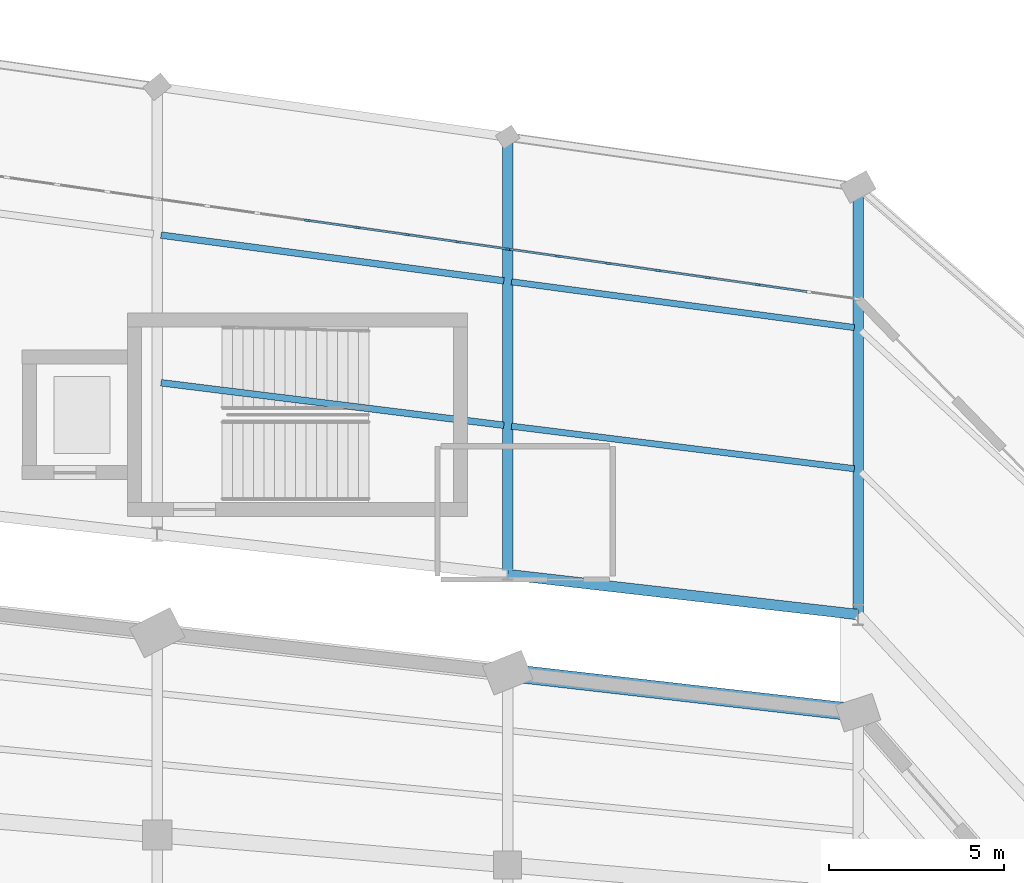
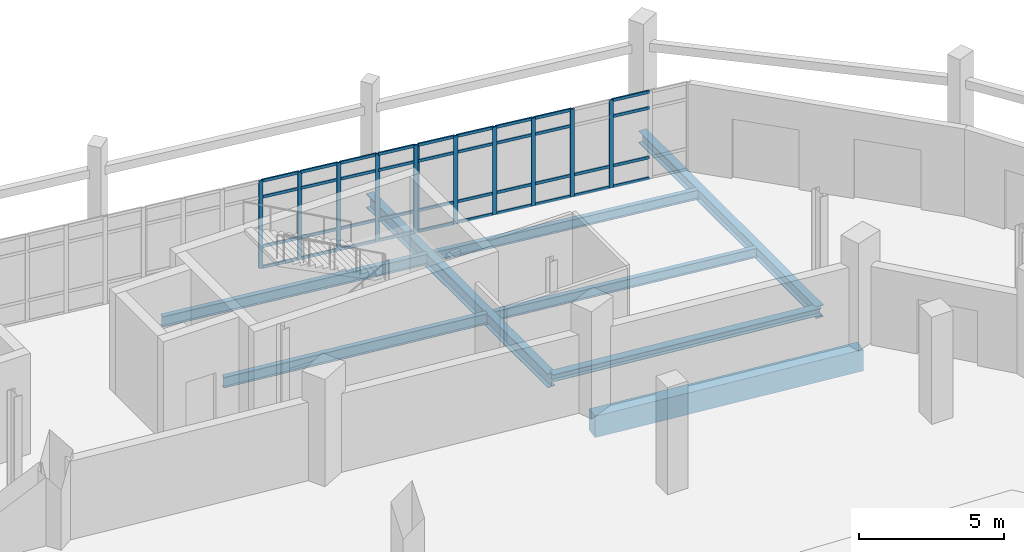
# One storey, part 75 of 122: 49 members, 8 beams, 2 elements without a shape of their own.
"""IFC4 building model written with IfcOpenShell, lengths in metres."""

from ifc_helpers import new_model, si_unit, direction, frame, origin, origin_2d, place, context, subcontext, project, spatial, rectangle, i_section, extrude, material, layer, layer_set, material_profile, profile_set, type_object, element, aggregate, save


model = new_model("IFC4")

# Units and contexts
model_context = context("Model", 3, precision=1e-05, world=origin(), true_north=direction((0.0, 1.0)))
body_context = subcontext(model_context, "Body", "Model", "MODEL_VIEW")
ifc_project = project(units=[si_unit("LENGTHUNIT", "METRE"), si_unit("AREAUNIT", "SQUARE_METRE"), si_unit("VOLUMEUNIT", "CUBIC_METRE"), si_unit("PLANEANGLEUNIT", "RADIAN"), si_unit("MASSUNIT", "GRAM", prefix="KILO")], contexts=[model_context])

# Site, building, storey
site_placement = place(None, origin())
site = spatial("IfcSite", under=ifc_project, at=site_placement, CompositionType="ELEMENT")
building_placement = place(site_placement, origin())
building = spatial("IfcBuilding", under=site, at=building_placement, Name="Sohan Crest Arena", CompositionType="ELEMENT")
storey_placement = place(building_placement, origin())
storey = spatial("IfcBuildingStorey", under=building, at=storey_placement, Name="L00", CompositionType="ELEMENT", Elevation=0.0)

# Curtain wall, members
ifc_material_1 = material(Name="Thermally broken anodised aluminium", Category="aluminium")
ifc_layer = layer(ifc_material_1, 0.179931640625, Name="Thermally broken anodised aluminium")
ifc_layer_set = layer_set([ifc_layer], Name="Thermally broken anodised aluminium")
curtain_wall_type = type_object("IfcCurtainWallType", Name="ARC-CW01", PredefinedType="NOTDEFINED", material=ifc_layer_set)
curtain_wall_1_placement = place(storey_placement, origin())
curtain_wall_1 = element("IfcCurtainWall", 1, at=curtain_wall_1_placement, inside=storey, type_object=curtain_wall_type, Name="Unitised curtain wall CW-014", PredefinedType="NOTDEFINED")
ifc_material_profile_1 = material_profile(ifc_material_1, rectangle(XDim=0.06005859375, YDim=0.159912109375, at=origin_2d()), Name="ALU-MULL 60x160")
ifc_profile_set_1 = profile_set([ifc_material_profile_1], Name="Thermally broken anodised aluminium")
member_type_1 = type_object("IfcMemberType", Name="ARC-CW-ML01", PredefinedType="MULLION", material=ifc_profile_set_1)
member_1_placement = place(storey_placement, frame((165.142822265625, 113.208251953125, 0.0), z_axis=(0.0, 0.0, 1.0), x_axis=(-0.141462933734, -0.989943553128, 0.0)))
member_1 = element("IfcMember", 2, at=member_1_placement, type_object=member_type_1, Name="CW-014 mullion 3", PredefinedType="MULLION", context=body_context, shape_type="SweptSolid", body=[
    extrude(rectangle(XDim=0.06005859375, YDim=0.159912109375, at=origin_2d()), origin(), (0.0, 0.0, 1.0), 3.679931640625),
])
member_2_placement = place(storey_placement, frame((163.71435546875, 113.412353515625, 0.0), z_axis=(0.0, 0.0, 1.0), x_axis=(-0.141462933734, -0.989943553128, 0.0)))
member_2 = element("IfcMember", 3, at=member_2_placement, type_object=member_type_1, Name="CW-014 mullion 4", PredefinedType="MULLION", context=body_context, shape_type="SweptSolid", body=[
    extrude(rectangle(XDim=0.06005859375, YDim=0.159912109375, at=origin_2d()), origin(), (0.0, 0.0, 1.0), 3.679931640625),
])
member_3_placement = place(storey_placement, frame((162.28564453125, 113.616455078125, 0.0), z_axis=(0.0, 0.0, 1.0), x_axis=(-0.141462933734, -0.989943553128, 0.0)))
member_3 = element("IfcMember", 4, at=member_3_placement, type_object=member_type_1, Name="CW-014 mullion 5", PredefinedType="MULLION", context=body_context, shape_type="SweptSolid", body=[
    extrude(rectangle(XDim=0.06005859375, YDim=0.159912109375, at=origin_2d()), origin(), (0.0, 0.0, 1.0), 3.679931640625),
])
member_4_placement = place(storey_placement, frame((160.857177734375, 113.82080078125, 0.0), z_axis=(0.0, 0.0, 1.0), x_axis=(-0.141462933734, -0.989943553128, 0.0)))
member_4 = element("IfcMember", 5, at=member_4_placement, type_object=member_type_1, Name="CW-014 mullion 6", PredefinedType="MULLION", context=body_context, shape_type="SweptSolid", body=[
    extrude(rectangle(XDim=0.06005859375, YDim=0.159912109375, at=origin_2d()), origin(), (0.0, 0.0, 1.0), 3.679931640625),
])
member_5_placement = place(storey_placement, frame((159.428466796875, 114.02490234375, 0.0), z_axis=(0.0, 0.0, 1.0), x_axis=(-0.141462933734, -0.989943553128, 0.0)))
member_5 = element("IfcMember", 6, at=member_5_placement, type_object=member_type_1, Name="CW-014 mullion 7", PredefinedType="MULLION", context=body_context, shape_type="SweptSolid", body=[
    extrude(rectangle(XDim=0.06005859375, YDim=0.159912109375, at=origin_2d()), origin(), (0.0, 0.0, 1.0), 3.679931640625),
])
member_6_placement = place(storey_placement, frame((158.02978515625, 114.224853515625, 0.0), z_axis=(0.0, 0.0, 1.0), x_axis=(-0.141462933734, -0.989943553128, 0.0)))
member_6 = element("IfcMember", 7, at=member_6_placement, type_object=member_type_1, Name="CW-014 mullion 8", PredefinedType="MULLION", context=body_context, shape_type="SweptSolid", body=[
    extrude(rectangle(XDim=0.06005859375, YDim=0.159912109375, at=origin_2d()), origin(), (0.0, 0.0, 1.0), 3.679931640625),
])

curtain_wall_2_placement = place(storey_placement, origin())
curtain_wall_2 = element("IfcCurtainWall", 8, at=curtain_wall_2_placement, inside=storey, type_object=curtain_wall_type, Name="Unitised curtain wall CW-015", PredefinedType="NOTDEFINED")
member_7_placement = place(storey_placement, frame((157.97021484375, 114.233154296875, 0.0), z_axis=(0.0, 0.0, 1.0), x_axis=(-0.141365918403, -0.989957411768, 0.0)))
member_7 = element("IfcMember", 9, at=member_7_placement, type_object=member_type_1, Name="CW-015 mullion 1", PredefinedType="MULLION", context=body_context, shape_type="SweptSolid", body=[
    extrude(rectangle(XDim=0.06005859375, YDim=0.159912109375, at=origin_2d()), origin(), (0.0, 0.0, 1.0), 3.679931640625),
])
member_8_placement = place(storey_placement, frame((156.571533203125, 114.43310546875, 0.0), z_axis=(0.0, 0.0, 1.0), x_axis=(-0.141365918403, -0.989957411768, 0.0)))
member_8 = element("IfcMember", 10, at=member_8_placement, type_object=member_type_1, Name="CW-015 mullion 2", PredefinedType="MULLION", context=body_context, shape_type="SweptSolid", body=[
    extrude(rectangle(XDim=0.06005859375, YDim=0.159912109375, at=origin_2d()), origin(), (0.0, 0.0, 1.0), 3.679931640625),
])
member_9_placement = place(storey_placement, frame((155.142822265625, 114.636962890625, 0.0), z_axis=(0.0, 0.0, 1.0), x_axis=(-0.141365918403, -0.989957411768, 0.0)))
member_9 = element("IfcMember", 11, at=member_9_placement, type_object=member_type_1, Name="CW-015 mullion 3", PredefinedType="MULLION", context=body_context, shape_type="SweptSolid", body=[
    extrude(rectangle(XDim=0.06005859375, YDim=0.159912109375, at=origin_2d()), origin(), (0.0, 0.0, 1.0), 3.679931640625),
])
member_10_placement = place(storey_placement, frame((153.71435546875, 114.841064453125, 0.0), z_axis=(0.0, 0.0, 1.0), x_axis=(-0.141365918403, -0.989957411768, 0.0)))
member_10 = element("IfcMember", 12, at=member_10_placement, type_object=member_type_1, Name="CW-015 mullion 4", PredefinedType="MULLION", context=body_context, shape_type="SweptSolid", body=[
    extrude(rectangle(XDim=0.06005859375, YDim=0.159912109375, at=origin_2d()), origin(), (0.0, 0.0, 1.0), 3.679931640625),
])
member_11_placement = place(storey_placement, frame((152.28564453125, 115.044921875, 0.0), z_axis=(0.0, 0.0, 1.0), x_axis=(-0.141365918403, -0.989957411768, 0.0)))
member_11 = element("IfcMember", 13, at=member_11_placement, type_object=member_type_1, Name="CW-015 mullion 5", PredefinedType="MULLION", context=body_context, shape_type="SweptSolid", body=[
    extrude(rectangle(XDim=0.06005859375, YDim=0.159912109375, at=origin_2d()), origin(), (0.0, 0.0, 1.0), 3.679931640625),
])

# Member
ifc_material_profile_2 = material_profile(ifc_material_1, rectangle(XDim=0.06005859375, YDim=0.1201171875, at=origin_2d()), Name="ALU-TRAN 60x120")
ifc_profile_set_2 = profile_set([ifc_material_profile_2], Name="Thermally broken anodised aluminium")
member_type_2 = type_object("IfcMemberType", Name="ARC-CW-TR01", PredefinedType="USERDEFINED", material=ifc_profile_set_2)
member_12_placement = place(storey_placement, frame((166.541748046875, 113.00830078125, 0.030029296875), z_axis=(-0.989928300068, 0.141569632071, 0.0), x_axis=(-0.141569632071, -0.989928300068, 0.0)))
member_12 = element("IfcMember", 14, at=member_12_placement, type_object=member_type_2, Name="CW-014 transom 2.1", ObjectType="TRANSOM", PredefinedType="USERDEFINED", context=body_context, shape_type="SweptSolid", body=[
    extrude(rectangle(XDim=0.06005859375, YDim=0.1201171875, at=origin_2d()), origin(), (0.0, 0.0, 1.0), 1.383056640625),
])

member_13_placement = place(storey_placement, frame((166.541748046875, 113.00830078125, 0.89990234375), z_axis=(-0.989928300068, 0.141569632071, 0.0), x_axis=(-0.141569632071, -0.989928300068, 0.0)))
member_13 = element("IfcMember", 15, at=member_13_placement, type_object=member_type_2, Name="CW-014 transom 2.2", ObjectType="TRANSOM", PredefinedType="USERDEFINED", context=body_context, shape_type="SweptSolid", body=[
    extrude(rectangle(XDim=0.06005859375, YDim=0.1201171875, at=origin_2d()), origin(), (0.0, 0.0, 1.0), 1.383056640625),
])

member_14_placement = place(storey_placement, frame((166.541748046875, 113.00830078125, 2.97998046875), z_axis=(-0.989928300068, 0.141569632071, 0.0), x_axis=(-0.141569632071, -0.989928300068, 0.0)))
member_14 = element("IfcMember", 16, at=member_14_placement, type_object=member_type_2, Name="CW-014 transom 2.3", ObjectType="TRANSOM", PredefinedType="USERDEFINED", context=body_context, shape_type="SweptSolid", body=[
    extrude(rectangle(XDim=0.06005859375, YDim=0.1201171875, at=origin_2d()), origin(), (0.0, 0.0, 1.0), 1.383056640625),
])

member_15_placement = place(storey_placement, frame((166.541748046875, 113.00830078125, 3.64990234375), z_axis=(-0.989928300068, 0.141569632071, 0.0), x_axis=(-0.141569632071, -0.989928300068, 0.0)))
member_15 = element("IfcMember", 17, at=member_15_placement, type_object=member_type_2, Name="CW-014 transom 2.4", ObjectType="TRANSOM", PredefinedType="USERDEFINED", context=body_context, shape_type="SweptSolid", body=[
    extrude(rectangle(XDim=0.06005859375, YDim=0.1201171875, at=origin_2d()), origin(), (0.0, 0.0, 1.0), 1.383056640625),
])

member_16_placement = place(storey_placement, frame((165.113037109375, 113.212646484375, 0.030029296875), z_axis=(-0.989953023856, 0.141396642673, 0.0), x_axis=(-0.141396642673, -0.989953023856, 0.0)))
member_16 = element("IfcMember", 18, at=member_16_placement, type_object=member_type_2, Name="CW-014 transom 3.1", ObjectType="TRANSOM", PredefinedType="USERDEFINED", context=body_context, shape_type="SweptSolid", body=[
    extrude(rectangle(XDim=0.06005859375, YDim=0.1201171875, at=origin_2d()), origin(), (0.0, 0.0, 1.0), 1.383056640625),
])

member_17_placement = place(storey_placement, frame((165.113037109375, 113.212646484375, 0.89990234375), z_axis=(-0.989953023856, 0.141396642673, 0.0), x_axis=(-0.141396642673, -0.989953023856, 0.0)))
member_17 = element("IfcMember", 19, at=member_17_placement, type_object=member_type_2, Name="CW-014 transom 3.2", ObjectType="TRANSOM", PredefinedType="USERDEFINED", context=body_context, shape_type="SweptSolid", body=[
    extrude(rectangle(XDim=0.06005859375, YDim=0.1201171875, at=origin_2d()), origin(), (0.0, 0.0, 1.0), 1.383056640625),
])

member_18_placement = place(storey_placement, frame((163.6845703125, 113.416748046875, 0.030029296875), z_axis=(-0.989953023856, 0.141396642673, 0.0), x_axis=(-0.141396642673, -0.989953023856, 0.0)))
member_18 = element("IfcMember", 20, at=member_18_placement, type_object=member_type_2, Name="CW-014 transom 4.1", ObjectType="TRANSOM", PredefinedType="USERDEFINED", context=body_context, shape_type="SweptSolid", body=[
    extrude(rectangle(XDim=0.06005859375, YDim=0.1201171875, at=origin_2d()), origin(), (0.0, 0.0, 1.0), 1.383056640625),
])

member_19_placement = place(storey_placement, frame((163.6845703125, 113.416748046875, 0.89990234375), z_axis=(-0.989953023856, 0.141396642673, 0.0), x_axis=(-0.141396642673, -0.989953023856, 0.0)))
member_19 = element("IfcMember", 21, at=member_19_placement, type_object=member_type_2, Name="CW-014 transom 4.2", ObjectType="TRANSOM", PredefinedType="USERDEFINED", context=body_context, shape_type="SweptSolid", body=[
    extrude(rectangle(XDim=0.06005859375, YDim=0.1201171875, at=origin_2d()), origin(), (0.0, 0.0, 1.0), 1.383056640625),
])

member_20_placement = place(storey_placement, frame((163.6845703125, 113.416748046875, 2.97998046875), z_axis=(-0.989953023856, 0.141396642673, 0.0), x_axis=(-0.141396642673, -0.989953023856, 0.0)))
member_20 = element("IfcMember", 22, at=member_20_placement, type_object=member_type_2, Name="CW-014 transom 4.3", ObjectType="TRANSOM", PredefinedType="USERDEFINED", context=body_context, shape_type="SweptSolid", body=[
    extrude(rectangle(XDim=0.06005859375, YDim=0.1201171875, at=origin_2d()), origin(), (0.0, 0.0, 1.0), 1.383056640625),
])

member_21_placement = place(storey_placement, frame((163.6845703125, 113.416748046875, 3.64990234375), z_axis=(-0.989953023856, 0.141396642673, 0.0), x_axis=(-0.141396642673, -0.989953023856, 0.0)))
member_21 = element("IfcMember", 23, at=member_21_placement, type_object=member_type_2, Name="CW-014 transom 4.4", ObjectType="TRANSOM", PredefinedType="USERDEFINED", context=body_context, shape_type="SweptSolid", body=[
    extrude(rectangle(XDim=0.06005859375, YDim=0.1201171875, at=origin_2d()), origin(), (0.0, 0.0, 1.0), 1.383056640625),
])

member_22_placement = place(storey_placement, frame((162.256103515625, 113.620849609375, 0.030029296875), z_axis=(-0.989953023856, 0.141396642673, 0.0), x_axis=(-0.141396642673, -0.989953023856, 0.0)))
member_22 = element("IfcMember", 24, at=member_22_placement, type_object=member_type_2, Name="CW-014 transom 5.1", ObjectType="TRANSOM", PredefinedType="USERDEFINED", context=body_context, shape_type="SweptSolid", body=[
    extrude(rectangle(XDim=0.06005859375, YDim=0.1201171875, at=origin_2d()), origin(), (0.0, 0.0, 1.0), 1.383056640625),
])

member_23_placement = place(storey_placement, frame((162.256103515625, 113.620849609375, 0.89990234375), z_axis=(-0.989953023856, 0.141396642673, 0.0), x_axis=(-0.141396642673, -0.989953023856, 0.0)))
member_23 = element("IfcMember", 25, at=member_23_placement, type_object=member_type_2, Name="CW-014 transom 5.2", ObjectType="TRANSOM", PredefinedType="USERDEFINED", context=body_context, shape_type="SweptSolid", body=[
    extrude(rectangle(XDim=0.06005859375, YDim=0.1201171875, at=origin_2d()), origin(), (0.0, 0.0, 1.0), 1.383056640625),
])

member_24_placement = place(storey_placement, frame((162.256103515625, 113.620849609375, 2.97998046875), z_axis=(-0.989953023856, 0.141396642673, 0.0), x_axis=(-0.141396642673, -0.989953023856, 0.0)))
member_24 = element("IfcMember", 26, at=member_24_placement, type_object=member_type_2, Name="CW-014 transom 5.3", ObjectType="TRANSOM", PredefinedType="USERDEFINED", context=body_context, shape_type="SweptSolid", body=[
    extrude(rectangle(XDim=0.06005859375, YDim=0.1201171875, at=origin_2d()), origin(), (0.0, 0.0, 1.0), 1.383056640625),
])

member_25_placement = place(storey_placement, frame((162.256103515625, 113.620849609375, 3.64990234375), z_axis=(-0.989953023856, 0.141396642673, 0.0), x_axis=(-0.141396642673, -0.989953023856, 0.0)))
member_25 = element("IfcMember", 27, at=member_25_placement, type_object=member_type_2, Name="CW-014 transom 5.4", ObjectType="TRANSOM", PredefinedType="USERDEFINED", context=body_context, shape_type="SweptSolid", body=[
    extrude(rectangle(XDim=0.06005859375, YDim=0.1201171875, at=origin_2d()), origin(), (0.0, 0.0, 1.0), 1.383056640625),
])

member_26_placement = place(storey_placement, frame((160.827392578125, 113.824951171875, 0.030029296875), z_axis=(-0.989953023856, 0.141396642673, 0.0), x_axis=(-0.141396642673, -0.989953023856, 0.0)))
member_26 = element("IfcMember", 28, at=member_26_placement, type_object=member_type_2, Name="CW-014 transom 6.1", ObjectType="TRANSOM", PredefinedType="USERDEFINED", context=body_context, shape_type="SweptSolid", body=[
    extrude(rectangle(XDim=0.06005859375, YDim=0.1201171875, at=origin_2d()), origin(), (0.0, 0.0, 1.0), 1.383056640625),
])

member_27_placement = place(storey_placement, frame((160.827392578125, 113.824951171875, 0.89990234375), z_axis=(-0.989953023856, 0.141396642673, 0.0), x_axis=(-0.141396642673, -0.989953023856, 0.0)))
member_27 = element("IfcMember", 29, at=member_27_placement, type_object=member_type_2, Name="CW-014 transom 6.2", ObjectType="TRANSOM", PredefinedType="USERDEFINED", context=body_context, shape_type="SweptSolid", body=[
    extrude(rectangle(XDim=0.06005859375, YDim=0.1201171875, at=origin_2d()), origin(), (0.0, 0.0, 1.0), 1.383056640625),
])

member_28_placement = place(storey_placement, frame((160.827392578125, 113.824951171875, 2.97998046875), z_axis=(-0.989953023856, 0.141396642673, 0.0), x_axis=(-0.141396642673, -0.989953023856, 0.0)))
member_28 = element("IfcMember", 30, at=member_28_placement, type_object=member_type_2, Name="CW-014 transom 6.3", ObjectType="TRANSOM", PredefinedType="USERDEFINED", context=body_context, shape_type="SweptSolid", body=[
    extrude(rectangle(XDim=0.06005859375, YDim=0.1201171875, at=origin_2d()), origin(), (0.0, 0.0, 1.0), 1.383056640625),
])

member_29_placement = place(storey_placement, frame((160.827392578125, 113.824951171875, 3.64990234375), z_axis=(-0.989953023856, 0.141396642673, 0.0), x_axis=(-0.141396642673, -0.989953023856, 0.0)))
member_29 = element("IfcMember", 31, at=member_29_placement, type_object=member_type_2, Name="CW-014 transom 6.4", ObjectType="TRANSOM", PredefinedType="USERDEFINED", context=body_context, shape_type="SweptSolid", body=[
    extrude(rectangle(XDim=0.06005859375, YDim=0.1201171875, at=origin_2d()), origin(), (0.0, 0.0, 1.0), 1.383056640625),
])

member_30_placement = place(storey_placement, frame((159.39892578125, 114.029052734375, 0.030029296875), z_axis=(-0.989945885007, 0.141446614515, 0.0), x_axis=(-0.141446614515, -0.989945885007, 0.0)))
member_30 = element("IfcMember", 32, at=member_30_placement, type_object=member_type_2, Name="CW-014 transom 7.1", ObjectType="TRANSOM", PredefinedType="USERDEFINED", context=body_context, shape_type="SweptSolid", body=[
    extrude(rectangle(XDim=0.06005859375, YDim=0.1201171875, at=origin_2d()), origin(), (0.0, 0.0, 1.0), 1.353271484375),
])

member_31_placement = place(storey_placement, frame((159.39892578125, 114.029052734375, 0.89990234375), z_axis=(-0.989945885007, 0.141446614515, 0.0), x_axis=(-0.141446614515, -0.989945885007, 0.0)))
member_31 = element("IfcMember", 33, at=member_31_placement, type_object=member_type_2, Name="CW-014 transom 7.2", ObjectType="TRANSOM", PredefinedType="USERDEFINED", context=body_context, shape_type="SweptSolid", body=[
    extrude(rectangle(XDim=0.06005859375, YDim=0.1201171875, at=origin_2d()), origin(), (0.0, 0.0, 1.0), 1.353271484375),
])

member_32_placement = place(storey_placement, frame((159.39892578125, 114.029052734375, 2.97998046875), z_axis=(-0.989945885007, 0.141446614515, 0.0), x_axis=(-0.141446614515, -0.989945885007, 0.0)))
member_32 = element("IfcMember", 34, at=member_32_placement, type_object=member_type_2, Name="CW-014 transom 7.3", ObjectType="TRANSOM", PredefinedType="USERDEFINED", context=body_context, shape_type="SweptSolid", body=[
    extrude(rectangle(XDim=0.06005859375, YDim=0.1201171875, at=origin_2d()), origin(), (0.0, 0.0, 1.0), 1.353271484375),
])

member_33_placement = place(storey_placement, frame((159.39892578125, 114.029052734375, 3.64990234375), z_axis=(-0.989945885007, 0.141446614515, 0.0), x_axis=(-0.141446614515, -0.989945885007, 0.0)))
member_33 = element("IfcMember", 35, at=member_33_placement, type_object=member_type_2, Name="CW-014 transom 7.4", ObjectType="TRANSOM", PredefinedType="USERDEFINED", context=body_context, shape_type="SweptSolid", body=[
    extrude(rectangle(XDim=0.06005859375, YDim=0.1201171875, at=origin_2d()), origin(), (0.0, 0.0, 1.0), 1.353271484375),
])

aggregate(curtain_wall_1, [member_1, member_2, member_3, member_4, member_5, member_6, member_12, member_13, member_14, member_15, member_16, member_17, member_18, member_19, member_20, member_21, member_22, member_23, member_24, member_25, member_26, member_27, member_28, member_29, member_30, member_31, member_32, member_33])

member_34_placement = place(storey_placement, frame((157.940673828125, 114.237548828125, 0.030029296875), z_axis=(-0.989971132604, 0.141269800771, 0.0), x_axis=(-0.141269800771, -0.989971132604, 0.0)))
member_34 = element("IfcMember", 36, at=member_34_placement, type_object=member_type_2, Name="CW-015 transom 1.1", ObjectType="TRANSOM", PredefinedType="USERDEFINED", context=body_context, shape_type="SweptSolid", body=[
    extrude(rectangle(XDim=0.06005859375, YDim=0.1201171875, at=origin_2d()), origin(), (0.0, 0.0, 1.0), 1.353271484375),
])

member_35_placement = place(storey_placement, frame((157.940673828125, 114.237548828125, 0.89990234375), z_axis=(-0.989971132604, 0.141269800771, 0.0), x_axis=(-0.141269800771, -0.989971132604, 0.0)))
member_35 = element("IfcMember", 37, at=member_35_placement, type_object=member_type_2, Name="CW-015 transom 1.2", ObjectType="TRANSOM", PredefinedType="USERDEFINED", context=body_context, shape_type="SweptSolid", body=[
    extrude(rectangle(XDim=0.06005859375, YDim=0.1201171875, at=origin_2d()), origin(), (0.0, 0.0, 1.0), 1.353271484375),
])

member_36_placement = place(storey_placement, frame((157.940673828125, 114.237548828125, 2.97998046875), z_axis=(-0.989971132604, 0.141269800771, 0.0), x_axis=(-0.141269800771, -0.989971132604, 0.0)))
member_36 = element("IfcMember", 38, at=member_36_placement, type_object=member_type_2, Name="CW-015 transom 1.3", ObjectType="TRANSOM", PredefinedType="USERDEFINED", context=body_context, shape_type="SweptSolid", body=[
    extrude(rectangle(XDim=0.06005859375, YDim=0.1201171875, at=origin_2d()), origin(), (0.0, 0.0, 1.0), 1.353271484375),
])

member_37_placement = place(storey_placement, frame((157.940673828125, 114.237548828125, 3.64990234375), z_axis=(-0.989971132604, 0.141269800771, 0.0), x_axis=(-0.141269800771, -0.989971132604, 0.0)))
member_37 = element("IfcMember", 39, at=member_37_placement, type_object=member_type_2, Name="CW-015 transom 1.4", ObjectType="TRANSOM", PredefinedType="USERDEFINED", context=body_context, shape_type="SweptSolid", body=[
    extrude(rectangle(XDim=0.06005859375, YDim=0.1201171875, at=origin_2d()), origin(), (0.0, 0.0, 1.0), 1.353271484375),
])

member_38_placement = place(storey_placement, frame((156.541748046875, 114.437255859375, 0.030029296875), z_axis=(-0.989953023856, 0.141396642673, 0.0), x_axis=(-0.141396642673, -0.989953023856, 0.0)))
member_38 = element("IfcMember", 40, at=member_38_placement, type_object=member_type_2, Name="CW-015 transom 2.1", ObjectType="TRANSOM", PredefinedType="USERDEFINED", context=body_context, shape_type="SweptSolid", body=[
    extrude(rectangle(XDim=0.06005859375, YDim=0.1201171875, at=origin_2d()), origin(), (0.0, 0.0, 1.0), 1.383056640625),
])

member_39_placement = place(storey_placement, frame((156.541748046875, 114.437255859375, 0.89990234375), z_axis=(-0.989953023856, 0.141396642673, 0.0), x_axis=(-0.141396642673, -0.989953023856, 0.0)))
member_39 = element("IfcMember", 41, at=member_39_placement, type_object=member_type_2, Name="CW-015 transom 2.2", ObjectType="TRANSOM", PredefinedType="USERDEFINED", context=body_context, shape_type="SweptSolid", body=[
    extrude(rectangle(XDim=0.06005859375, YDim=0.1201171875, at=origin_2d()), origin(), (0.0, 0.0, 1.0), 1.383056640625),
])

member_40_placement = place(storey_placement, frame((156.541748046875, 114.437255859375, 2.97998046875), z_axis=(-0.989953023856, 0.141396642673, 0.0), x_axis=(-0.141396642673, -0.989953023856, 0.0)))
member_40 = element("IfcMember", 42, at=member_40_placement, type_object=member_type_2, Name="CW-015 transom 2.3", ObjectType="TRANSOM", PredefinedType="USERDEFINED", context=body_context, shape_type="SweptSolid", body=[
    extrude(rectangle(XDim=0.06005859375, YDim=0.1201171875, at=origin_2d()), origin(), (0.0, 0.0, 1.0), 1.383056640625),
])

member_41_placement = place(storey_placement, frame((156.541748046875, 114.437255859375, 3.64990234375), z_axis=(-0.989953023856, 0.141396642673, 0.0), x_axis=(-0.141396642673, -0.989953023856, 0.0)))
member_41 = element("IfcMember", 43, at=member_41_placement, type_object=member_type_2, Name="CW-015 transom 2.4", ObjectType="TRANSOM", PredefinedType="USERDEFINED", context=body_context, shape_type="SweptSolid", body=[
    extrude(rectangle(XDim=0.06005859375, YDim=0.1201171875, at=origin_2d()), origin(), (0.0, 0.0, 1.0), 1.383056640625),
])

member_42_placement = place(storey_placement, frame((155.113037109375, 114.641357421875, 0.030029296875), z_axis=(-0.989977718646, 0.14122364032, 0.0), x_axis=(-0.14122364032, -0.989977718646, 0.0)))
member_42 = element("IfcMember", 44, at=member_42_placement, type_object=member_type_2, Name="CW-015 transom 3.1", ObjectType="TRANSOM", PredefinedType="USERDEFINED", context=body_context, shape_type="SweptSolid", body=[
    extrude(rectangle(XDim=0.06005859375, YDim=0.1201171875, at=origin_2d()), origin(), (0.0, 0.0, 1.0), 1.383056640625),
])

member_43_placement = place(storey_placement, frame((155.113037109375, 114.641357421875, 0.89990234375), z_axis=(-0.989977718646, 0.14122364032, 0.0), x_axis=(-0.14122364032, -0.989977718646, 0.0)))
member_43 = element("IfcMember", 45, at=member_43_placement, type_object=member_type_2, Name="CW-015 transom 3.2", ObjectType="TRANSOM", PredefinedType="USERDEFINED", context=body_context, shape_type="SweptSolid", body=[
    extrude(rectangle(XDim=0.06005859375, YDim=0.1201171875, at=origin_2d()), origin(), (0.0, 0.0, 1.0), 1.383056640625),
])

member_44_placement = place(storey_placement, frame((155.113037109375, 114.641357421875, 2.97998046875), z_axis=(-0.989977718646, 0.14122364032, 0.0), x_axis=(-0.14122364032, -0.989977718646, 0.0)))
member_44 = element("IfcMember", 46, at=member_44_placement, type_object=member_type_2, Name="CW-015 transom 3.3", ObjectType="TRANSOM", PredefinedType="USERDEFINED", context=body_context, shape_type="SweptSolid", body=[
    extrude(rectangle(XDim=0.06005859375, YDim=0.1201171875, at=origin_2d()), origin(), (0.0, 0.0, 1.0), 1.383056640625),
])

member_45_placement = place(storey_placement, frame((155.113037109375, 114.641357421875, 3.64990234375), z_axis=(-0.989977718646, 0.14122364032, 0.0), x_axis=(-0.14122364032, -0.989977718646, 0.0)))
member_45 = element("IfcMember", 47, at=member_45_placement, type_object=member_type_2, Name="CW-015 transom 3.4", ObjectType="TRANSOM", PredefinedType="USERDEFINED", context=body_context, shape_type="SweptSolid", body=[
    extrude(rectangle(XDim=0.06005859375, YDim=0.1201171875, at=origin_2d()), origin(), (0.0, 0.0, 1.0), 1.383056640625),
])

member_46_placement = place(storey_placement, frame((153.6845703125, 114.84521484375, 0.030029296875), z_axis=(-0.989953023856, 0.141396642673, 0.0), x_axis=(-0.141396642673, -0.989953023856, 0.0)))
member_46 = element("IfcMember", 48, at=member_46_placement, type_object=member_type_2, Name="CW-015 transom 4.1", ObjectType="TRANSOM", PredefinedType="USERDEFINED", context=body_context, shape_type="SweptSolid", body=[
    extrude(rectangle(XDim=0.06005859375, YDim=0.1201171875, at=origin_2d()), origin(), (0.0, 0.0, 1.0), 1.383056640625),
])

member_47_placement = place(storey_placement, frame((153.6845703125, 114.84521484375, 0.89990234375), z_axis=(-0.989953023856, 0.141396642673, 0.0), x_axis=(-0.141396642673, -0.989953023856, 0.0)))
member_47 = element("IfcMember", 49, at=member_47_placement, type_object=member_type_2, Name="CW-015 transom 4.2", ObjectType="TRANSOM", PredefinedType="USERDEFINED", context=body_context, shape_type="SweptSolid", body=[
    extrude(rectangle(XDim=0.06005859375, YDim=0.1201171875, at=origin_2d()), origin(), (0.0, 0.0, 1.0), 1.383056640625),
])

member_48_placement = place(storey_placement, frame((153.6845703125, 114.84521484375, 2.97998046875), z_axis=(-0.989953023856, 0.141396642673, 0.0), x_axis=(-0.141396642673, -0.989953023856, 0.0)))
member_48 = element("IfcMember", 50, at=member_48_placement, type_object=member_type_2, Name="CW-015 transom 4.3", ObjectType="TRANSOM", PredefinedType="USERDEFINED", context=body_context, shape_type="SweptSolid", body=[
    extrude(rectangle(XDim=0.06005859375, YDim=0.1201171875, at=origin_2d()), origin(), (0.0, 0.0, 1.0), 1.383056640625),
])

member_49_placement = place(storey_placement, frame((153.6845703125, 114.84521484375, 3.64990234375), z_axis=(-0.989953023856, 0.141396642673, 0.0), x_axis=(-0.141396642673, -0.989953023856, 0.0)))
member_49 = element("IfcMember", 51, at=member_49_placement, type_object=member_type_2, Name="CW-015 transom 4.4", ObjectType="TRANSOM", PredefinedType="USERDEFINED", context=body_context, shape_type="SweptSolid", body=[
    extrude(rectangle(XDim=0.06005859375, YDim=0.1201171875, at=origin_2d()), origin(), (0.0, 0.0, 1.0), 1.383056640625),
])

aggregate(curtain_wall_2, [member_7, member_8, member_9, member_10, member_11, member_34, member_35, member_36, member_37, member_38, member_39, member_40, member_41, member_42, member_43, member_44, member_45, member_46, member_47, member_48, member_49])

# Beams
ifc_material_2 = material(Name="Steel S355", Category="steel")
ifc_material_profile_3 = material_profile(ifc_material_2, i_section(OverallWidth=0.179931640625, OverallDepth=0.39990234375, WebThickness=0.008544921875, FlangeThickness=0.013427734375, at=origin_2d()), Name="IPE 400")
ifc_profile_set_3 = profile_set([ifc_material_profile_3], Name="Steel S355")
beam_type_1 = type_object("IfcBeamType", Name="STR-BM-B03", PredefinedType="JOIST", material=ifc_profile_set_3)
beam_1_placement = place(storey_placement, frame((167.89111328125, 107.9619140625, -0.47509765625), z_axis=(-0.992409914467, 0.122973825131, 0.0), x_axis=(-0.122973825131, -0.992409914467, 0.0)))
element("IfcBeam", 52, at=beam_1_placement, inside=storey, type_object=beam_type_1, Name="Structural beam J-L00-1054", PredefinedType="JOIST", context=body_context, shape_type="SweptSolid", body=[
    extrude(i_section(OverallWidth=0.179931640625, OverallDepth=0.39990234375, WebThickness=0.008544921875, FlangeThickness=0.013427734375, at=origin_2d()), origin(), (0.0, 0.0, 1.0), 9.85693359375),
])
beam_2_placement = place(storey_placement, frame((167.89111328125, 111.989013671875, -0.47509765625), z_axis=(-0.991219472477, 0.132226916252, 0.0), x_axis=(-0.132226916252, -0.991219472477, 0.0)))
element("IfcBeam", 53, at=beam_2_placement, inside=storey, type_object=beam_type_1, Name="Structural beam J-L00-1055", PredefinedType="JOIST", context=body_context, shape_type="SweptSolid", body=[
    extrude(i_section(OverallWidth=0.179931640625, OverallDepth=0.39990234375, WebThickness=0.008544921875, FlangeThickness=0.013427734375, at=origin_2d()), origin(), (0.0, 0.0, 1.0), 9.868896484375),
])
ifc_material_profile_4 = material_profile(ifc_material_2, i_section(OverallWidth=0.18994140625, OverallDepth=0.449951171875, WebThickness=0.009521484375, FlangeThickness=0.0146484375, at=origin_2d()), Name="IPE 450")
ifc_profile_set_4 = profile_set([ifc_material_profile_4], Name="Steel S355")
beam_type_2 = type_object("IfcBeamType", Name="STR-BM-B04", PredefinedType="JOIST", material=ifc_profile_set_4)
beam_3_placement = place(storey_placement, frame((157.89111328125, 109.201904296875, -0.5), z_axis=(-0.992409914467, 0.122973825131, 0.0), x_axis=(-0.122973825131, -0.992409914467, 0.0)))
element("IfcBeam", 54, at=beam_3_placement, inside=storey, type_object=beam_type_2, Name="Structural beam J-L00-1060", PredefinedType="JOIST", context=body_context, shape_type="SweptSolid", body=[
    extrude(i_section(OverallWidth=0.18994140625, OverallDepth=0.449951171875, WebThickness=0.009521484375, FlangeThickness=0.0146484375, at=origin_2d()), origin(), (0.0, 0.0, 1.0), 9.85693359375),
])
beam_4_placement = place(storey_placement, frame((157.89111328125, 113.323974609375, -0.5), z_axis=(-0.991232437337, 0.132129690721, 0.0), x_axis=(-0.132129690721, -0.991232437337, 0.0)))
element("IfcBeam", 55, at=beam_4_placement, inside=storey, type_object=beam_type_2, Name="Structural beam J-L00-1061", PredefinedType="JOIST", context=body_context, shape_type="SweptSolid", body=[
    extrude(i_section(OverallWidth=0.18994140625, OverallDepth=0.449951171875, WebThickness=0.009521484375, FlangeThickness=0.0146484375, at=origin_2d()), origin(), (0.0, 0.0, 1.0), 9.86865234375),
])
ifc_material_profile_5 = material_profile(ifc_material_2, i_section(OverallWidth=0.300048828125, OverallDepth=0.590087890625, WebThickness=0.012939453125, FlangeThickness=0.02490234375, at=origin_2d()), Name="HEA 600")
ifc_profile_set_5 = profile_set([ifc_material_profile_5], Name="Steel S355")
beam_type_3 = type_object("IfcBeamType", Name="STR-BM-B11", PredefinedType="BEAM", material=ifc_profile_set_5)
beam_5_placement = place(storey_placement, frame((158.0, 104.943115234375, -0.570068359375), z_axis=(0.0, 1.0, 0.0), x_axis=(-1.0, 0.0, 0.0)))
element("IfcBeam", 56, at=beam_5_placement, inside=storey, type_object=beam_type_3, Name="Structural beam G-L00-1056", PredefinedType="BEAM", context=body_context, shape_type="SweptSolid", body=[
    extrude(i_section(OverallWidth=0.300048828125, OverallDepth=0.590087890625, WebThickness=0.012939453125, FlangeThickness=0.02490234375, at=origin_2d()), origin(), (0.0, 0.0, 1.0), 12.48583984375),
])
ifc_material_profile_6 = material_profile(ifc_material_2, i_section(OverallWidth=0.300048828125, OverallDepth=0.300048828125, WebThickness=0.010986328125, FlangeThickness=0.01904296875, at=origin_2d()), Name="HEB 300")
ifc_profile_set_6 = profile_set([ifc_material_profile_6], Name="Steel S355")
beam_type_4 = type_object("IfcBeamType", Name="STR-BM-B12", PredefinedType="BEAM", material=ifc_profile_set_6)
beam_6_placement = place(storey_placement, frame((168.0, 103.800048828125, -0.425048828125), z_axis=(-0.99353032697, 0.113567114035, 0.0), x_axis=(-0.113567114035, -0.99353032697, 0.0)))
element("IfcBeam", 57, at=beam_6_placement, inside=storey, type_object=beam_type_4, Name="Structural beam G-L00-1051", PredefinedType="BEAM", context=body_context, shape_type="SweptSolid", body=[
    extrude(i_section(OverallWidth=0.300048828125, OverallDepth=0.300048828125, WebThickness=0.010986328125, FlangeThickness=0.01904296875, at=origin_2d()), origin(), (0.0, 0.0, 1.0), 10.065185546875),
])
ifc_material_profile_7 = material_profile(ifc_material_2, i_section(OverallWidth=0.300048828125, OverallDepth=0.5, WebThickness=0.014404296875, FlangeThickness=0.028076171875, at=origin_2d()), Name="HEB 500")
ifc_profile_set_7 = profile_set([ifc_material_profile_7], Name="Steel S355")
beam_type_5 = type_object("IfcBeamType", Name="STR-BM-B14", PredefinedType="BEAM", material=ifc_profile_set_7)
beam_7_placement = place(storey_placement, frame((168.0, 103.800048828125, -0.52490234375), z_axis=(0.0, 1.0, 0.0), x_axis=(-1.0, 0.0, 0.0)))
element("IfcBeam", 58, at=beam_7_placement, inside=storey, type_object=beam_type_5, Name="Structural beam G-L00-1050", PredefinedType="BEAM", context=body_context, shape_type="SweptSolid", body=[
    extrude(i_section(OverallWidth=0.300048828125, OverallDepth=0.5, WebThickness=0.014404296875, FlangeThickness=0.028076171875, at=origin_2d()), origin(), (0.0, 0.0, 1.0), 12.199951171875),
])
ifc_material_3 = material(Name="Concrete C40/50", Category="concrete")
ifc_material_profile_8 = material_profile(ifc_material_3, rectangle(XDim=0.5, YDim=0.89990234375, at=origin_2d()), Name="RC-BM 500x900")
ifc_profile_set_8 = profile_set([ifc_material_profile_8], Name="Concrete C40/50")
beam_type_6 = type_object("IfcBeamType", Name="STR-BM-TB03", PredefinedType="BEAM", material=ifc_profile_set_8)
beam_8_placement = place(storey_placement, frame((168.0, 101.0, -0.699951171875), z_axis=(-0.99353032697, 0.113567114035, 0.0), x_axis=(-0.113567114035, -0.99353032697, 0.0)))
element("IfcBeam", 59, at=beam_8_placement, inside=storey, type_object=beam_type_6, Name="Structural beam TB-L00-0660", PredefinedType="BEAM", context=body_context, shape_type="SweptSolid", body=[
    extrude(rectangle(XDim=0.5, YDim=0.89990234375, at=origin_2d()), origin(), (0.0, 0.0, 1.0), 10.065185546875),
])

save(model, "model.ifc")
